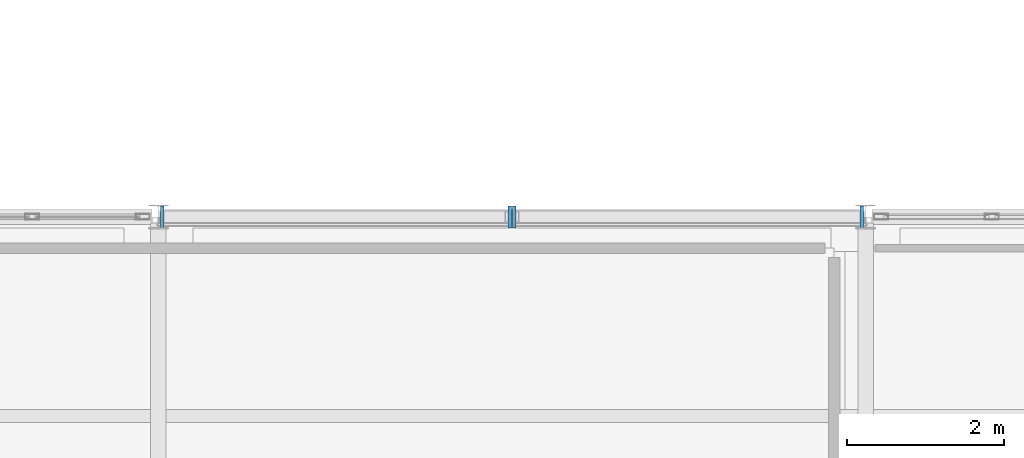
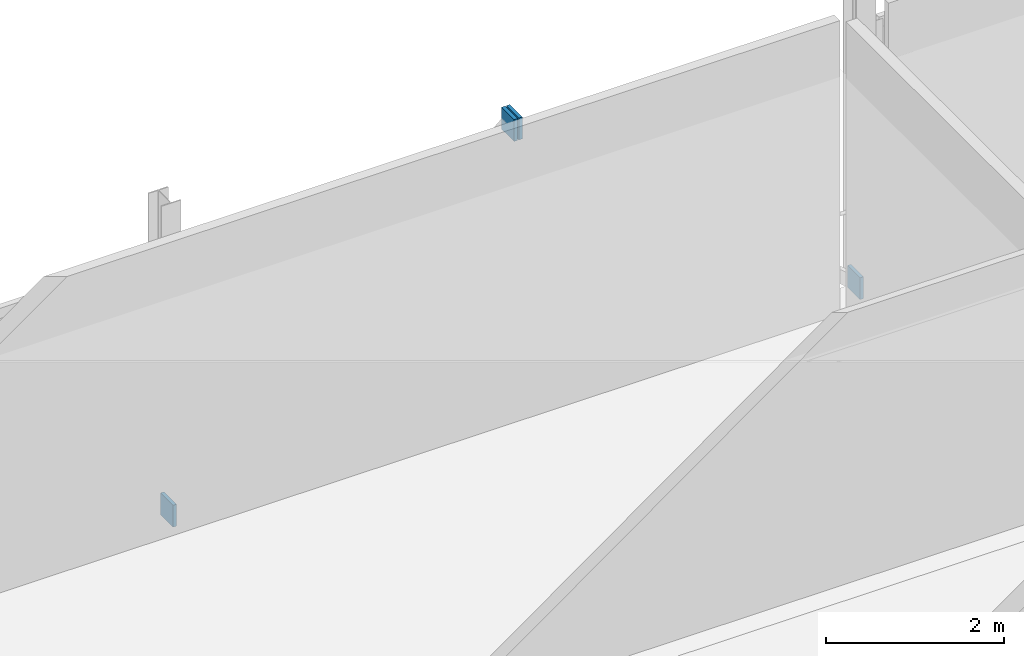
# One storey, part 15 of 24: 4 plates.
"""IFC4 building model written with IfcOpenShell, lengths in metres."""

from ifc_helpers import new_model, si_unit, direction, frame, origin, origin_2d, place, context, subcontext, project, spatial, rectangle, extrude, material, layer, layer_set, type_object, element, save


model = new_model("IFC4")

# Units and contexts
model_context = context("Model", 3, precision=1e-05, world=origin(), true_north=direction((0.0, 1.0)))
body_context = subcontext(model_context, "Body", "Model", "MODEL_VIEW")
ifc_project = project(units=[si_unit("LENGTHUNIT", "METRE"), si_unit("AREAUNIT", "SQUARE_METRE"), si_unit("VOLUMEUNIT", "CUBIC_METRE"), si_unit("PLANEANGLEUNIT", "RADIAN"), si_unit("MASSUNIT", "GRAM", prefix="KILO")], contexts=[model_context])

# Site, building, storey
site_placement = place(None, origin())
site = spatial("IfcSite", under=ifc_project, at=site_placement, CompositionType="ELEMENT")
building_placement = place(site_placement, origin())
building = spatial("IfcBuilding", under=site, at=building_placement, Name="Caisbarro Railhouse Central Library", CompositionType="ELEMENT")
storey_placement = place(building_placement, frame((0.0, 0.0, 22.320068359375)))
storey = spatial("IfcBuildingStorey", under=building, at=storey_placement, Name="L05", CompositionType="ELEMENT", Elevation=22.320068359375)

# Plates
ifc_material = material(Name="Steel ASTM A572 Grade 50", Category="steel")
ifc_layer = layer(ifc_material, 0.044921875, Name="Steel ASTM A572 Grade 50")
ifc_layer_set = layer_set([ifc_layer], Name="Steel ASTM A572 Grade 50")
plate_type = type_object("IfcPlateType", Name="PLT-EP01", PredefinedType="SHEET", material=ifc_layer_set)
for number, where, z_axis, x_axis, name in (
    (1, (72.05078125, 22.800048828125, -0.1376953125), (0.0, 0.0, 1.0), (1.0, 0.0, 0.0), "EP01 end cap plate"),
    (2, (76.46923828125, 22.800048828125, 3.59765625), (0.0, 0.0, 1.0), (1.0, 0.0, 0.0), "EP01 end cap plate"),
    (3, (80.94921875, 22.800048828125, -0.1376953125), (0.0, 0.0, 1.0), (-1.0, 0.0, 0.0), "EP01 end cap plate"),
    (4, (76.53076171875, 22.800048828125, 3.59765625), (0.0, 0.0, 1.0), (-1.0, 0.0, 0.0), "EP01 end cap plate"),
):
    element("IfcPlate", number, at=place(storey_placement, frame(where, z_axis=z_axis, x_axis=x_axis)), inside=storey, type_object=plate_type, Name=name, PredefinedType="SHEET", context=body_context, shape_type="SweptSolid", body=[
        extrude(rectangle(XDim=0.044921875, YDim=0.280029296875, at=origin_2d()), origin(), (0.0, 0.0, 1.0), 0.300048828125),
    ])

save(model, "model.ifc")
